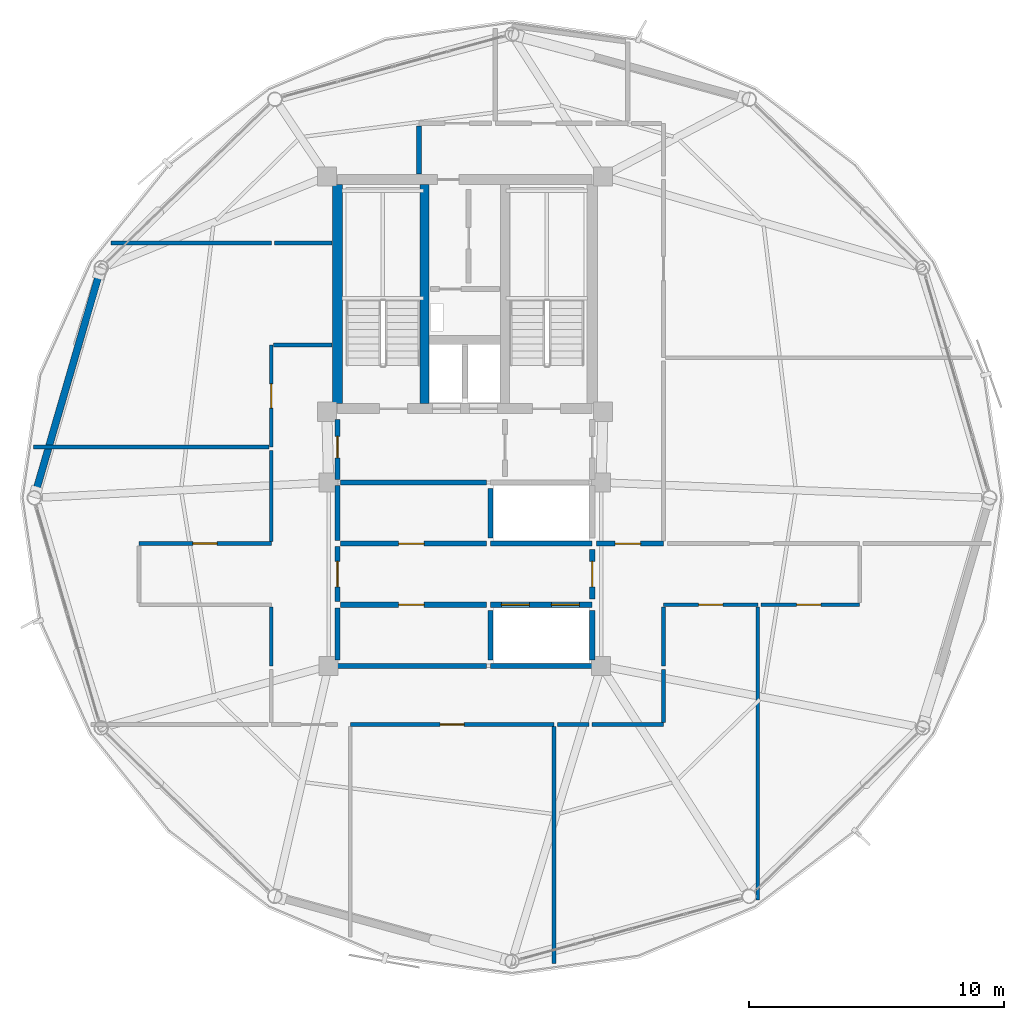
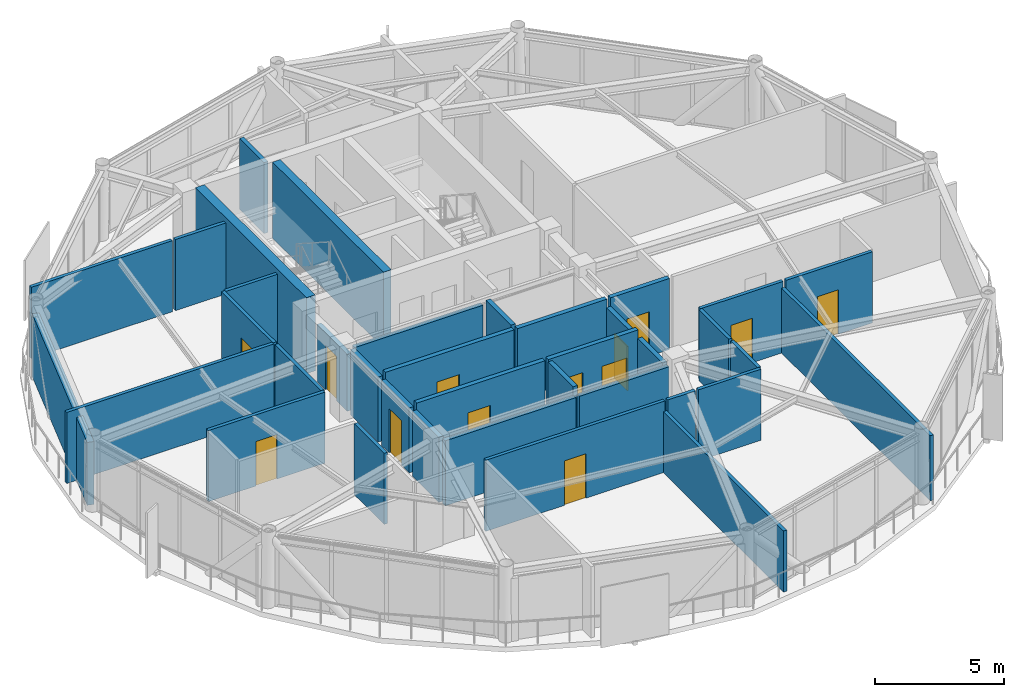
# One storey, part 22 of 27: 37 walls, 13 doors, 13 openings.
"""IFC4 building model written with IfcOpenShell, lengths in metres."""

from ifc_helpers import new_model, si_unit, direction, frame, frame_2d, origin, place, context, subcontext, project, spatial, rectangle, extrude, material, layer, layer_set, type_object, element, fill, save


model = new_model("IFC4")

# Units and contexts
model_context = context("Model", 3, precision=1e-05, world=origin(), true_north=direction((0.0, 1.0)))
body_context = subcontext(model_context, "Body", "Model", "MODEL_VIEW")
ifc_project = project(units=[si_unit("LENGTHUNIT", "METRE"), si_unit("AREAUNIT", "SQUARE_METRE"), si_unit("VOLUMEUNIT", "CUBIC_METRE"), si_unit("PLANEANGLEUNIT", "RADIAN"), si_unit("MASSUNIT", "GRAM", prefix="KILO")], contexts=[model_context])

# Site, building, storey
site_placement = place(None, origin())
site = spatial("IfcSite", under=ifc_project, at=site_placement, CompositionType="ELEMENT")
building_placement = place(site_placement, origin())
building = spatial("IfcBuilding", under=site, at=building_placement, Name="Varnakorn Sky Granary", CompositionType="ELEMENT")
storey_placement = place(building_placement, frame((0.0, 0.0, 232.800048828125)))
storey = spatial("IfcBuildingStorey", under=building, at=storey_placement, Name="L59", CompositionType="ELEMENT", Elevation=232.800048828125)

# Walls
ifc_material_1 = material(Name="Concrete C50/60", Category="concrete")
ifc_layer_1 = layer(ifc_material_1, 0.35009765625, Name="Concrete C50/60")
ifc_layer_set_1 = layer_set([ifc_layer_1], Name="Concrete C50/60")
wall_type_1 = type_object("IfcWallType", Name="WT-CW-INT-350", PredefinedType="SHEAR", material=ifc_layer_set_1)
wall_1_placement = place(storey_placement, frame((1.419921875, 3.7099609375, 0.0), z_axis=(0.0, 0.0, 1.0), x_axis=(0.0, 1.0, 0.0)))
element("IfcWall", 1, at=wall_1_placement, inside=storey, type_object=wall_type_1, Name="Stair ST-1 Core Wall L59", PredefinedType="SHEAR", context=body_context, shape_type="SweptSolid", body=[
    extrude(rectangle(XDim=8.580078125, YDim=0.35009765625, at=frame_2d((4.2900390625, 0.0))), origin(), (0.0, 0.0, 1.0), 3.592041015625),
])
ifc_layer_2 = layer(ifc_material_1, 0.39990234375, Name="Concrete C50/60")
ifc_layer_set_2 = layer_set([ifc_layer_2], Name="Concrete C50/60")
wall_type_2 = type_object("IfcWallType", Name="WT-CW-SHEAR-400", PredefinedType="SHEAR", material=ifc_layer_set_2)
wall_2_placement = place(storey_placement, frame((-2.0, 3.7099609375, 0.0), z_axis=(0.0, 0.0, 1.0), x_axis=(0.0, 1.0, 0.0)))
element("IfcWall", 2, at=wall_2_placement, inside=storey, type_object=wall_type_2, Name="Core West Shear Wall L59", PredefinedType="SHEAR", context=body_context, shape_type="SweptSolid", body=[
    extrude(rectangle(XDim=8.580078125, YDim=0.39990234375, at=frame_2d((4.2900390625, 0.0))), origin(), (0.0, 0.0, 1.0), 3.592041015625),
])
ifc_material_2 = material(Name="Precast concrete C40/50", Category="concrete")
ifc_layer_3 = layer(ifc_material_2, 0.280029296875, Name="Precast concrete C40/50")
ifc_layer_set_3 = layer_set([ifc_layer_3], Name="Precast concrete C40/50")
wall_type_3 = type_object("IfcWallType", Name="WT-EW-CRN-280", PredefinedType="SOLIDWALL", material=ifc_layer_set_3)
wall_3_placement = place(storey_placement, frame((-13.850341796875, 0.22509765625, 0.0), z_axis=(0.0, 0.0, 1.0), x_axis=(0.279531356442, 0.960136563602, 0.0)))
element("IfcWall", 3, at=wall_3_placement, inside=storey, type_object=wall_type_3, Name="Agritech Insulated Precast Facade Wall L59-P06", PredefinedType="SOLIDWALL", context=body_context, shape_type="SweptSolid", body=[
    extrude(rectangle(XDim=8.942626953125, YDim=0.280029296875, at=frame_2d((4.47119140625, 0.0))), origin(), (0.0, 0.0, 1.0), 2.969970703125),
])

# Wall, opening, door
ifc_material_3 = material(Name="Autoclaved Aerated Concrete Blockwork", Category="masonry")
ifc_layer_4 = layer(ifc_material_3, 0.199951171875, Name="Autoclaved Aerated Concrete Blockwork")
ifc_layer_set_4 = layer_set([ifc_layer_4], Name="Autoclaved Aerated Concrete Blockwork")
wall_type_4 = type_object("IfcWallType", Name="WT-FIRE-200", PredefinedType="MOVABLE", material=ifc_layer_set_4)
wall_4_placement = place(storey_placement, frame((-2.0, 0.719970703125, 0.0), z_axis=(0.0, 0.0, 1.0), x_axis=(0.0, 1.0, 0.0)))
wall_4 = element("IfcWall", 4, at=wall_4_placement, inside=storey, type_object=wall_type_4, Name="Interior Partition Wall L59-013", PredefinedType="MOVABLE", context=body_context, shape_type="SweptSolid", body=[
    extrude(rectangle(XDim=2.35009765625, YDim=0.199951171875, at=frame_2d((1.175048828125, 0.0))), origin(), (0.0, 0.0, 1.0), 2.69189453125),
])
opening_1_placement = place(wall_4_placement, frame((0.844970703125, 0.0, 0.0)))
opening_1 = element("IfcOpeningElement", 5, at=opening_1_placement, cuts=wall_4, Name="Opening FD-60N", PredefinedType="OPENING", context=body_context, shape_type="SweptSolid", body=[
    extrude(rectangle(XDim=0.85009765625, YDim=2.10009765625, at=frame_2d((0.425048828125, 1.050048828125))), frame((0.0, 0.10986328125, 0.0), z_axis=(0.0, -1.0, 0.0), x_axis=(1.0, 0.0, 0.0)), (0.0, 0.0, 1.0), 0.219970703125),
])
ifc_material_4 = material(Name="Acoustic Timber Fire Leaf", Category="wood")
door_type_1 = type_object("IfcDoorType", Name="DR-FD60-850", OperationType="NOTDEFINED", PredefinedType="DOOR", material=ifc_material_4)
door_1_placement = place(opening_1_placement, origin())
door_1 = element("IfcDoor", 6, at=door_1_placement, inside=storey, type_object=door_type_1, Name="Interior Door L59-013-1", OperationType="SINGLE_SWING_RIGHT", OverallHeight=2.10009765625, OverallWidth=0.85009765625, PredefinedType="DOOR", context=body_context, shape_type="SweptSolid", body=[
    extrude(rectangle(XDim=0.85009765625, YDim=2.10009765625, at=frame_2d((0.425048828125, 1.050048828125))), frame((0.0, 0.02490234375, 0.0), z_axis=(0.0, -1.0, 0.0), x_axis=(1.0, 0.0, 0.0)), (0.0, 0.0, 1.0), 0.050048828125),
])
fill(opening_1, door_1)

wall_5_placement = place(storey_placement, frame((-2.0, -4.080078125, 0.0), z_axis=(0.0, 0.0, 1.0), x_axis=(0.0, 1.0, 0.0)))
wall_5 = element("IfcWall", 7, at=wall_5_placement, inside=storey, type_object=wall_type_4, Name="Interior Partition Wall L59-015", PredefinedType="MOVABLE", context=body_context, shape_type="SweptSolid", body=[
    extrude(rectangle(XDim=2.16015625, YDim=0.199951171875, at=frame_2d((1.080078125, 0.0))), origin(), (0.0, 0.0, 1.0), 3.072021484375),
])
opening_2_placement = place(wall_5_placement, frame((0.580078125, 0.0, 0.0)))
opening_2 = element("IfcOpeningElement", 8, at=opening_2_placement, cuts=wall_5, Name="Opening FD-60", PredefinedType="OPENING", context=body_context, shape_type="SweptSolid", body=[
    extrude(rectangle(XDim=1.0, YDim=2.10009765625, at=frame_2d((0.5, 1.050048828125))), frame((0.0, 0.10986328125, 0.0), z_axis=(0.0, -1.0, 0.0), x_axis=(1.0, 0.0, 0.0)), (0.0, 0.0, 1.0), 0.219970703125),
])
door_type_2 = type_object("IfcDoorType", Name="DR-FD60-1000", OperationType="NOTDEFINED", PredefinedType="DOOR", material=ifc_material_4)
door_2_placement = place(opening_2_placement, origin())
door_2 = element("IfcDoor", 9, at=door_2_placement, inside=storey, type_object=door_type_2, Name="Interior Door L59-015-1", OperationType="SINGLE_SWING_RIGHT", OverallHeight=2.10009765625, OverallWidth=1.0, PredefinedType="DOOR", context=body_context, shape_type="SweptSolid", body=[
    extrude(rectangle(XDim=1.0, YDim=2.10009765625, at=frame_2d((0.5, 1.050048828125))), frame((0.0, 0.02490234375, 0.0), z_axis=(0.0, -1.0, 0.0), x_axis=(1.0, 0.0, 0.0)), (0.0, 0.0, 1.0), 0.050048828125),
])
fill(opening_2, door_2)

wall_6_placement = place(storey_placement, frame((8.0, -3.969970703125, 0.0), z_axis=(0.0, 0.0, 1.0), x_axis=(0.0, 1.0, 0.0)))
wall_6 = element("IfcWall", 10, at=wall_6_placement, inside=storey, type_object=wall_type_4, Name="Interior Partition Wall L59-016", PredefinedType="MOVABLE", context=body_context, shape_type="SweptSolid", body=[
    extrude(rectangle(XDim=1.93994140625, YDim=0.199951171875, at=frame_2d((0.969970703125, 0.0))), origin(), (0.0, 0.0, 1.0), 3.072021484375),
])
opening_3_placement = place(wall_6_placement, frame((0.469970703125, 0.0, 0.0)))
opening_3 = element("IfcOpeningElement", 11, at=opening_3_placement, cuts=wall_6, Name="Opening FD-60", PredefinedType="OPENING", context=body_context, shape_type="SweptSolid", body=[
    extrude(rectangle(XDim=1.0, YDim=2.10009765625, at=frame_2d((0.5, 1.050048828125))), frame((0.0, 0.10986328125, 0.0), z_axis=(0.0, -1.0, 0.0), x_axis=(1.0, 0.0, 0.0)), (0.0, 0.0, 1.0), 0.219970703125),
])
door_3_placement = place(opening_3_placement, origin())
door_3 = element("IfcDoor", 12, at=door_3_placement, inside=storey, type_object=door_type_2, Name="Interior Door L59-016-1", OperationType="SINGLE_SWING_LEFT", OverallHeight=2.10009765625, OverallWidth=1.0, PredefinedType="DOOR", context=body_context, shape_type="SweptSolid", body=[
    extrude(rectangle(XDim=1.0, YDim=2.10009765625, at=frame_2d((0.5, 1.050048828125))), frame((0.0, 0.02490234375, 0.0), z_axis=(0.0, -1.0, 0.0), x_axis=(1.0, 0.0, 0.0)), (0.0, 0.0, 1.0), 0.050048828125),
])
fill(opening_3, door_3)

wall_7_placement = place(storey_placement, frame((-1.889892578125, -1.800048828125, 0.0), z_axis=(0.0, 0.0, 1.0), x_axis=(1.0, 0.0, 0.0)))
wall_7 = element("IfcWall", 13, at=wall_7_placement, inside=storey, type_object=wall_type_4, Name="Interior Partition Wall L59-017", PredefinedType="MOVABLE", context=body_context, shape_type="SweptSolid", body=[
    extrude(rectangle(XDim=5.72998046875, YDim=0.199951171875, at=frame_2d((2.864990234375, 0.0))), origin(), (0.0, 0.0, 1.0), 3.35986328125),
])
opening_4_placement = place(wall_7_placement, frame((2.2900390625, 0.0, 0.0)))
opening_4 = element("IfcOpeningElement", 14, at=opening_4_placement, cuts=wall_7, Name="Opening FD-60", PredefinedType="OPENING", context=body_context, shape_type="SweptSolid", body=[
    extrude(rectangle(XDim=1.0, YDim=2.10009765625, at=frame_2d((0.5, 1.050048828125))), frame((0.0, 0.10986328125, 0.0), z_axis=(0.0, -1.0, 0.0), x_axis=(1.0, 0.0, 0.0)), (0.0, 0.0, 1.0), 0.219970703125),
])
door_4_placement = place(opening_4_placement, origin())
door_4 = element("IfcDoor", 15, at=door_4_placement, inside=storey, type_object=door_type_2, Name="Interior Door L59-017-1", OperationType="SINGLE_SWING_RIGHT", OverallHeight=2.10009765625, OverallWidth=1.0, PredefinedType="DOOR", context=body_context, shape_type="SweptSolid", body=[
    extrude(rectangle(XDim=1.0, YDim=2.10009765625, at=frame_2d((0.5, 1.050048828125))), frame((0.0, 0.02490234375, 0.0), z_axis=(0.0, -1.0, 0.0), x_axis=(1.0, 0.0, 0.0)), (0.0, 0.0, 1.0), 0.050048828125),
])
fill(opening_4, door_4)

wall_8_placement = place(storey_placement, frame((-1.889892578125, -4.199951171875, 0.0), z_axis=(0.0, 0.0, 1.0), x_axis=(1.0, 0.0, 0.0)))
wall_8 = element("IfcWall", 16, at=wall_8_placement, inside=storey, type_object=wall_type_4, Name="Interior Partition Wall L59-018", PredefinedType="MOVABLE", context=body_context, shape_type="SweptSolid", body=[
    extrude(rectangle(XDim=5.72998046875, YDim=0.199951171875, at=frame_2d((2.864990234375, 0.0))), origin(), (0.0, 0.0, 1.0), 3.35986328125),
])
opening_5_placement = place(wall_8_placement, frame((2.2900390625, 0.0, 0.0)))
opening_5 = element("IfcOpeningElement", 17, at=opening_5_placement, cuts=wall_8, Name="Opening FD-60", PredefinedType="OPENING", context=body_context, shape_type="SweptSolid", body=[
    extrude(rectangle(XDim=1.0, YDim=2.10009765625, at=frame_2d((0.5, 1.050048828125))), frame((0.0, 0.10986328125, 0.0), z_axis=(0.0, -1.0, 0.0), x_axis=(1.0, 0.0, 0.0)), (0.0, 0.0, 1.0), 0.219970703125),
])
door_5_placement = place(opening_5_placement, origin())
door_5 = element("IfcDoor", 18, at=door_5_placement, inside=storey, type_object=door_type_2, Name="Interior Door L59-018-1", OperationType="SINGLE_SWING_LEFT", OverallHeight=2.10009765625, OverallWidth=1.0, PredefinedType="DOOR", context=body_context, shape_type="SweptSolid", body=[
    extrude(rectangle(XDim=1.0, YDim=2.10009765625, at=frame_2d((0.5, 1.050048828125))), frame((0.0, 0.02490234375, 0.0), z_axis=(0.0, -1.0, 0.0), x_axis=(1.0, 0.0, 0.0)), (0.0, 0.0, 1.0), 0.050048828125),
])
fill(opening_5, door_5)

wall_9_placement = place(storey_placement, frame((8.159912109375, -1.800048828125, 0.0), z_axis=(0.0, 0.0, 1.0), x_axis=(1.0, 0.0, 0.0)))
wall_9 = element("IfcWall", 19, at=wall_9_placement, inside=storey, type_object=wall_type_4, Name="Interior Partition Wall L59-019", PredefinedType="MOVABLE", context=body_context, shape_type="SweptSolid", body=[
    extrude(rectangle(XDim=2.64013671875, YDim=0.199951171875, at=frame_2d((1.320068359375, 0.0))), origin(), (0.0, 0.0, 1.0), 3.35986328125),
])
opening_6_placement = place(wall_9_placement, frame((0.739990234375, 0.0, 0.0)))
opening_6 = element("IfcOpeningElement", 20, at=opening_6_placement, cuts=wall_9, Name="Opening FD-60", PredefinedType="OPENING", context=body_context, shape_type="SweptSolid", body=[
    extrude(rectangle(XDim=1.0, YDim=2.10009765625, at=frame_2d((0.5, 1.050048828125))), frame((0.0, 0.10986328125, 0.0), z_axis=(0.0, -1.0, 0.0), x_axis=(1.0, 0.0, 0.0)), (0.0, 0.0, 1.0), 0.219970703125),
])
door_6_placement = place(opening_6_placement, origin())
door_6 = element("IfcDoor", 21, at=door_6_placement, inside=storey, type_object=door_type_2, Name="Interior Door L59-019-1", OperationType="SINGLE_SWING_RIGHT", OverallHeight=2.10009765625, OverallWidth=1.0, PredefinedType="DOOR", context=body_context, shape_type="SweptSolid", body=[
    extrude(rectangle(XDim=1.0, YDim=2.10009765625, at=frame_2d((0.5, 1.050048828125))), frame((0.0, 0.02490234375, 0.0), z_axis=(0.0, -1.0, 0.0), x_axis=(1.0, 0.0, 0.0)), (0.0, 0.0, 1.0), 0.050048828125),
])
fill(opening_6, door_6)

# Walls
wall_10_placement = place(storey_placement, frame((-1.8798828125, 0.60009765625, 0.0), z_axis=(0.0, 0.0, 1.0), x_axis=(1.0, 0.0, 0.0)))
element("IfcWall", 22, at=wall_10_placement, inside=storey, type_object=wall_type_4, Name="Interior Partition Wall L59-030", PredefinedType="MOVABLE", context=body_context, shape_type="SweptSolid", body=[
    extrude(rectangle(XDim=5.719970703125, YDim=0.199951171875, at=frame_2d((2.85986328125, 0.0))), origin(), (0.0, 0.0, 1.0), 3.072021484375),
])
wall_11_placement = place(storey_placement, frame((-2.0, -1.679931640625, 0.0), z_axis=(0.0, 0.0, 1.0), x_axis=(0.0, 1.0, 0.0)))
element("IfcWall", 23, at=wall_11_placement, inside=storey, type_object=wall_type_4, Name="Interior Partition Wall L59-031", PredefinedType="MOVABLE", context=body_context, shape_type="SweptSolid", body=[
    extrude(rectangle(XDim=2.159912109375, YDim=0.199951171875, at=frame_2d((1.080078125, 0.0))), origin(), (0.0, 0.0, 1.0), 3.072021484375),
])
wall_12_placement = place(storey_placement, frame((-2.0, -6.60009765625, 0.0), z_axis=(0.0, 0.0, 1.0), x_axis=(1.0, 0.0, 0.0)))
element("IfcWall", 24, at=wall_12_placement, inside=storey, type_object=wall_type_4, Name="Interior Partition Wall L59-032", PredefinedType="MOVABLE", context=body_context, shape_type="SweptSolid", body=[
    extrude(rectangle(XDim=5.840087890625, YDim=0.199951171875, at=frame_2d((2.919921875, 0.0))), origin(), (0.0, 0.0, 1.0), 3.072021484375),
])
wall_13_placement = place(storey_placement, frame((-2.0, -6.3701171875, 0.0), z_axis=(0.0, 0.0, 1.0), x_axis=(0.0, 1.0, 0.0)))
element("IfcWall", 25, at=wall_13_placement, inside=storey, type_object=wall_type_4, Name="Interior Partition Wall L59-033", PredefinedType="MOVABLE", context=body_context, shape_type="SweptSolid", body=[
    extrude(rectangle(XDim=2.050048828125, YDim=0.199951171875, at=frame_2d((1.02490234375, 0.0))), origin(), (0.0, 0.0, 1.0), 3.072021484375),
])

# Wall, opening, door
ifc_material_5 = material(Name="Gypsum Plasterboard on Steel Stud", Category="steel")
ifc_layer_5 = layer(ifc_material_5, 0.14990234375, Name="Gypsum Plasterboard on Steel Stud")
ifc_layer_set_5 = layer_set([ifc_layer_5], Name="Gypsum Plasterboard on Steel Stud")
wall_type_5 = type_object("IfcWallType", Name="WT-PART-150", PredefinedType="PARTITIONING", material=ifc_layer_set_5)
wall_14_placement = place(storey_placement, frame((-1.5, -8.89990234375, 0.0), z_axis=(0.0, 0.0, 1.0), x_axis=(1.0, 0.0, 0.0)))
wall_14 = element("IfcWall", 26, at=wall_14_placement, inside=storey, type_object=wall_type_5, Name="Interior Partition Wall L59-022", PredefinedType="PARTITIONING", context=body_context, shape_type="SweptSolid", body=[
    extrude(rectangle(XDim=8.0, YDim=0.14990234375, at=frame_2d((4.0, 0.0))), origin(), (0.0, 0.0, 1.0), 3.35986328125),
])
opening_7_placement = place(wall_14_placement, frame((3.52490234375, 0.0, 0.0)))
opening_7 = element("IfcOpeningElement", 27, at=opening_7_placement, cuts=wall_14, Name="Opening ID-95", PredefinedType="OPENING", context=body_context, shape_type="SweptSolid", body=[
    extrude(rectangle(XDim=0.949951171875, YDim=2.10009765625, at=frame_2d((0.47509765625, 1.050048828125))), frame((0.0, 0.0849609375, 0.0), z_axis=(0.0, -1.0, 0.0), x_axis=(1.0, 0.0, 0.0)), (0.0, 0.0, 1.0), 0.169921875),
])
ifc_material_6 = material(Name="Solid-Core Teak Veneer Leaf", Category="timber")
door_type_3 = type_object("IfcDoorType", Name="DR-INT-950", OperationType="NOTDEFINED", PredefinedType="DOOR", material=ifc_material_6)
door_7_placement = place(opening_7_placement, origin())
door_7 = element("IfcDoor", 28, at=door_7_placement, inside=storey, type_object=door_type_3, Name="Interior Door L59-022-1", OperationType="SINGLE_SWING_LEFT", OverallHeight=2.10009765625, OverallWidth=0.949951171875, PredefinedType="DOOR", context=body_context, shape_type="SweptSolid", body=[
    extrude(rectangle(XDim=0.949951171875, YDim=2.10009765625, at=frame_2d((0.47509765625, 1.050048828125))), frame((0.0, 0.02490234375, 0.0), z_axis=(0.0, -1.0, 0.0), x_axis=(1.0, 0.0, 0.0)), (0.0, 0.0, 1.0), 0.050048828125),
])
fill(opening_7, door_7)

wall_15_placement = place(storey_placement, frame((10.800048828125, -4.199951171875, 0.0), z_axis=(0.0, 0.0, 1.0), x_axis=(1.0, 0.0, 0.0)))
wall_15 = element("IfcWall", 29, at=wall_15_placement, inside=storey, type_object=wall_type_5, Name="Interior Partition Wall L59-023", PredefinedType="PARTITIONING", context=body_context, shape_type="SweptSolid", body=[
    extrude(rectangle(XDim=3.699951171875, YDim=0.14990234375, at=frame_2d((1.85009765625, 0.0))), origin(), (0.0, 0.0, 1.0), 3.35986328125),
])
opening_8_placement = place(wall_15_placement, frame((1.375, 0.0, 0.0)))
opening_8 = element("IfcOpeningElement", 30, at=opening_8_placement, cuts=wall_15, Name="Opening ID-95", PredefinedType="OPENING", context=body_context, shape_type="SweptSolid", body=[
    extrude(rectangle(XDim=0.949951171875, YDim=2.10009765625, at=frame_2d((0.47509765625, 1.050048828125))), frame((0.0, 0.0849609375, 0.0), z_axis=(0.0, -1.0, 0.0), x_axis=(1.0, 0.0, 0.0)), (0.0, 0.0, 1.0), 0.169921875),
])
door_8_placement = place(opening_8_placement, origin())
door_8 = element("IfcDoor", 31, at=door_8_placement, inside=storey, type_object=door_type_3, Name="Interior Door L59-023-1", OperationType="SINGLE_SWING_RIGHT", OverallHeight=2.10009765625, OverallWidth=0.949951171875, PredefinedType="DOOR", context=body_context, shape_type="SweptSolid", body=[
    extrude(rectangle(XDim=0.949951171875, YDim=2.10009765625, at=frame_2d((0.47509765625, 1.050048828125))), frame((0.0, 0.02490234375, 0.0), z_axis=(0.0, -1.0, 0.0), x_axis=(1.0, 0.0, 0.0)), (0.0, 0.0, 1.0), 0.050048828125),
])
fill(opening_8, door_8)

wall_16_placement = place(storey_placement, frame((14.635009765625, -4.199951171875, 0.0), z_axis=(0.0, 0.0, 1.0), x_axis=(1.0, 0.0, 0.0)))
wall_16 = element("IfcWall", 32, at=wall_16_placement, inside=storey, type_object=wall_type_5, Name="Interior Partition Wall L59-024", PredefinedType="PARTITIONING", context=body_context, shape_type="SweptSolid", body=[
    extrude(rectangle(XDim=3.864990234375, YDim=0.14990234375, at=frame_2d((1.9326171875, 0.0))), origin(), (0.0, 0.0, 1.0), 3.35986328125),
])
opening_9_placement = place(wall_16_placement, frame((1.389892578125, 0.0, 0.0)))
opening_9 = element("IfcOpeningElement", 33, at=opening_9_placement, cuts=wall_16, Name="Opening ID-95", PredefinedType="OPENING", context=body_context, shape_type="SweptSolid", body=[
    extrude(rectangle(XDim=0.949951171875, YDim=2.10009765625, at=frame_2d((0.47509765625, 1.050048828125))), frame((0.0, 0.0849609375, 0.0), z_axis=(0.0, -1.0, 0.0), x_axis=(1.0, 0.0, 0.0)), (0.0, 0.0, 1.0), 0.169921875),
])
door_9_placement = place(opening_9_placement, origin())
door_9 = element("IfcDoor", 34, at=door_9_placement, inside=storey, type_object=door_type_3, Name="Interior Door L59-024-1", OperationType="SINGLE_SWING_LEFT", OverallHeight=2.10009765625, OverallWidth=0.949951171875, PredefinedType="DOOR", context=body_context, shape_type="SweptSolid", body=[
    extrude(rectangle(XDim=0.949951171875, YDim=2.10009765625, at=frame_2d((0.47509765625, 1.050048828125))), frame((0.0, 0.02490234375, 0.0), z_axis=(0.0, -1.0, 0.0), x_axis=(1.0, 0.0, 0.0)), (0.0, 0.0, 1.0), 0.050048828125),
])
fill(opening_9, door_9)

wall_17_placement = place(storey_placement, frame((-4.60009765625, -1.800048828125, 0.0), z_axis=(0.0, 0.0, 1.0), x_axis=(-1.0, 0.0, 0.0)))
wall_17 = element("IfcWall", 35, at=wall_17_placement, inside=storey, type_object=wall_type_5, Name="Interior Partition Wall L59-025", PredefinedType="PARTITIONING", context=body_context, shape_type="SweptSolid", body=[
    extrude(rectangle(XDim=5.199951171875, YDim=0.14990234375, at=frame_2d((2.60009765625, 0.0))), origin(), (0.0, 0.0, 1.0), 3.35986328125),
])
opening_10_placement = place(wall_17_placement, frame((2.125, 0.0, 0.0)))
opening_10 = element("IfcOpeningElement", 36, at=opening_10_placement, cuts=wall_17, Name="Opening ID-95", PredefinedType="OPENING", context=body_context, shape_type="SweptSolid", body=[
    extrude(rectangle(XDim=0.949951171875, YDim=2.10009765625, at=frame_2d((0.47509765625, 1.050048828125))), frame((0.0, 0.0849609375, 0.0), z_axis=(0.0, -1.0, 0.0), x_axis=(1.0, 0.0, 0.0)), (0.0, 0.0, 1.0), 0.169921875),
])
door_10_placement = place(opening_10_placement, origin())
door_10 = element("IfcDoor", 37, at=door_10_placement, inside=storey, type_object=door_type_3, Name="Interior Door L59-025-1", OperationType="SINGLE_SWING_RIGHT", OverallHeight=2.10009765625, OverallWidth=0.949951171875, PredefinedType="DOOR", context=body_context, shape_type="SweptSolid", body=[
    extrude(rectangle(XDim=0.949951171875, YDim=2.10009765625, at=frame_2d((0.47509765625, 1.050048828125))), frame((0.0, 0.02490234375, 0.0), z_axis=(0.0, -1.0, 0.0), x_axis=(1.0, 0.0, 0.0)), (0.0, 0.0, 1.0), 0.050048828125),
])
fill(opening_10, door_10)

wall_18_placement = place(storey_placement, frame((-4.60009765625, 6.0, 0.0), z_axis=(0.0, 0.0, 1.0), x_axis=(0.0, -1.0, 0.0)))
wall_18 = element("IfcWall", 38, at=wall_18_placement, inside=storey, type_object=wall_type_5, Name="Interior Partition Wall L59-026", PredefinedType="PARTITIONING", context=body_context, shape_type="SweptSolid", body=[
    extrude(rectangle(XDim=4.0, YDim=0.14990234375, at=frame_2d((2.0, 0.0))), origin(), (0.0, 0.0, 1.0), 3.35986328125),
])
opening_11_placement = place(wall_18_placement, frame((1.52490234375, 0.0, 0.0)))
opening_11 = element("IfcOpeningElement", 39, at=opening_11_placement, cuts=wall_18, Name="Opening ID-95", PredefinedType="OPENING", context=body_context, shape_type="SweptSolid", body=[
    extrude(rectangle(XDim=0.949951171875, YDim=2.10009765625, at=frame_2d((0.47509765625, 1.050048828125))), frame((0.0, 0.0849609375, 0.0), z_axis=(0.0, -1.0, 0.0), x_axis=(1.0, 0.0, 0.0)), (0.0, 0.0, 1.0), 0.169921875),
])
door_11_placement = place(opening_11_placement, origin())
door_11 = element("IfcDoor", 40, at=door_11_placement, inside=storey, type_object=door_type_3, Name="Interior Door L59-026-1", OperationType="SINGLE_SWING_LEFT", OverallHeight=2.10009765625, OverallWidth=0.949951171875, PredefinedType="DOOR", context=body_context, shape_type="SweptSolid", body=[
    extrude(rectangle(XDim=0.949951171875, YDim=2.10009765625, at=frame_2d((0.47509765625, 1.050048828125))), frame((0.0, 0.02490234375, 0.0), z_axis=(0.0, -1.0, 0.0), x_axis=(1.0, 0.0, 0.0)), (0.0, 0.0, 1.0), 0.050048828125),
])
fill(opening_11, door_11)

# Walls
wall_19_placement = place(storey_placement, frame((6.5, -8.985107421875, 0.0), z_axis=(0.0, 0.0, 1.0), x_axis=(0.0, -1.0, 0.0)))
element("IfcWall", 41, at=wall_19_placement, inside=storey, type_object=wall_type_5, Name="Interior Partition Wall L59-037", PredefinedType="PARTITIONING", context=body_context, shape_type="SweptSolid", body=[
    extrude(rectangle(XDim=9.306884765625, YDim=0.14990234375, at=frame_2d((4.6533203125, 0.0))), origin(), (0.0, 0.0, 1.0), 2.891845703125),
])
wall_20_placement = place(storey_placement, frame((8.0, -8.89990234375, 0.0), z_axis=(0.0, 0.0, 1.0), x_axis=(1.0, 0.0, 0.0)))
element("IfcWall", 42, at=wall_20_placement, inside=storey, type_object=wall_type_5, Name="Interior Partition Wall L59-038", PredefinedType="PARTITIONING", context=body_context, shape_type="SweptSolid", body=[
    extrude(rectangle(XDim=2.800048828125, YDim=0.14990234375, at=frame_2d((1.39990234375, 0.0))), origin(), (0.0, 0.0, 1.0), 3.35986328125),
])
wall_21_placement = place(storey_placement, frame((10.800048828125, -6.60009765625, 0.0), z_axis=(0.0, 0.0, 1.0), x_axis=(0.0, 1.0, 0.0)))
element("IfcWall", 43, at=wall_21_placement, inside=storey, type_object=wall_type_5, Name="Interior Partition Wall L59-039", PredefinedType="PARTITIONING", context=body_context, shape_type="SweptSolid", body=[
    extrude(rectangle(XDim=2.315185546875, YDim=0.14990234375, at=frame_2d((1.15771484375, 0.0))), origin(), (0.0, 0.0, 1.0), 3.35986328125),
])
wall_22_placement = place(storey_placement, frame((10.800048828125, -8.81494140625, 0.0), z_axis=(0.0, 0.0, 1.0), x_axis=(0.0, 1.0, 0.0)))
element("IfcWall", 44, at=wall_22_placement, inside=storey, type_object=wall_type_5, Name="Interior Partition Wall L59-040", PredefinedType="PARTITIONING", context=body_context, shape_type="SweptSolid", body=[
    extrude(rectangle(XDim=2.079833984375, YDim=0.14990234375, at=frame_2d((1.0400390625, 0.0))), origin(), (0.0, 0.0, 1.0), 3.35986328125),
])
wall_23_placement = place(storey_placement, frame((6.635009765625, -8.89990234375, 0.0), z_axis=(0.0, 0.0, 1.0), x_axis=(1.0, 0.0, 0.0)))
element("IfcWall", 45, at=wall_23_placement, inside=storey, type_object=wall_type_5, Name="Interior Partition Wall L59-041", PredefinedType="PARTITIONING", context=body_context, shape_type="SweptSolid", body=[
    extrude(rectangle(XDim=1.22998046875, YDim=0.14990234375, at=frame_2d((0.614990234375, 0.0))), origin(), (0.0, 0.0, 1.0), 3.35986328125),
])
wall_24_placement = place(storey_placement, frame((14.5, -4.284912109375, 0.0), z_axis=(0.0, 0.0, 1.0), x_axis=(0.0, -1.0, 0.0)))
element("IfcWall", 46, at=wall_24_placement, inside=storey, type_object=wall_type_5, Name="Interior Partition Wall L59-042", PredefinedType="PARTITIONING", context=body_context, shape_type="SweptSolid", body=[
    extrude(rectangle(XDim=11.4990234375, YDim=0.14990234375, at=frame_2d((5.74951171875, 0.0))), origin(), (0.0, 0.0, 1.0), 3.072021484375),
])
wall_25_placement = place(storey_placement, frame((-4.60009765625, 1.864990234375, 0.0), z_axis=(0.0, 0.0, 1.0), x_axis=(0.0, -1.0, 0.0)))
element("IfcWall", 47, at=wall_25_placement, inside=storey, type_object=wall_type_5, Name="Interior Partition Wall L59-046", PredefinedType="PARTITIONING", context=body_context, shape_type="SweptSolid", body=[
    extrude(rectangle(XDim=3.580078125, YDim=0.14990234375, at=frame_2d((1.7900390625, 0.0))), origin(), (0.0, 0.0, 1.0), 3.35986328125),
])
wall_26_placement = place(storey_placement, frame((-4.60009765625, -4.284912109375, 0.0), z_axis=(0.0, 0.0, 1.0), x_axis=(0.0, -1.0, 0.0)))
element("IfcWall", 48, at=wall_26_placement, inside=storey, type_object=wall_type_5, Name="Interior Partition Wall L59-048", PredefinedType="PARTITIONING", context=body_context, shape_type="SweptSolid", body=[
    extrude(rectangle(XDim=2.315185546875, YDim=0.14990234375, at=frame_2d((1.15771484375, 0.0))), origin(), (0.0, 0.0, 1.0), 3.35986328125),
])
wall_27_placement = place(storey_placement, frame((-13.93603515625, 2.0, 0.0), z_axis=(0.0, 0.0, 1.0), x_axis=(1.0, 0.0, 0.0)))
element("IfcWall", 49, at=wall_27_placement, inside=storey, type_object=wall_type_5, Name="Interior Partition Wall L59-050", PredefinedType="PARTITIONING", context=body_context, shape_type="SweptSolid", body=[
    extrude(rectangle(XDim=9.2509765625, YDim=0.14990234375, at=frame_2d((4.62548828125, 0.0))), origin(), (0.0, 0.0, 1.0), 3.35986328125),
])
wall_28_placement = place(storey_placement, frame((-2.2099609375, 6.0, 0.0), z_axis=(0.0, 0.0, 1.0), x_axis=(-1.0, 0.0, 0.0)))
element("IfcWall", 50, at=wall_28_placement, inside=storey, type_object=wall_type_5, Name="Interior Partition Wall L59-051", PredefinedType="PARTITIONING", context=body_context, shape_type="SweptSolid", body=[
    extrude(rectangle(XDim=2.304931640625, YDim=0.14990234375, at=frame_2d((1.15234375, 0.0))), origin(), (0.0, 0.0, 1.0), 3.35986328125),
])
wall_29_placement = place(storey_placement, frame((-10.902099609375, 10.0, 0.0), z_axis=(0.0, 0.0, 1.0), x_axis=(1.0, 0.0, 0.0)))
element("IfcWall", 51, at=wall_29_placement, inside=storey, type_object=wall_type_5, Name="Interior Partition Wall L59-052", PredefinedType="PARTITIONING", context=body_context, shape_type="SweptSolid", body=[
    extrude(rectangle(XDim=6.302001953125, YDim=0.14990234375, at=frame_2d((3.15087890625, 0.0))), origin(), (0.0, 0.0, 1.0), 3.35986328125),
])
wall_30_placement = place(storey_placement, frame((-4.465087890625, 10.0, 0.0), z_axis=(0.0, 0.0, 1.0), x_axis=(1.0, 0.0, 0.0)))
element("IfcWall", 52, at=wall_30_placement, inside=storey, type_object=wall_type_5, Name="Interior Partition Wall L59-053", PredefinedType="PARTITIONING", context=body_context, shape_type="SweptSolid", body=[
    extrude(rectangle(XDim=2.255126953125, YDim=0.14990234375, at=frame_2d((1.12744140625, 0.0))), origin(), (0.0, 0.0, 1.0), 3.35986328125),
])
ifc_material_7 = material(Name="Moisture-Resistant Gypsum on Stud", Category="gypsum")
ifc_layer_6 = layer(ifc_material_7, 0.179931640625, Name="Moisture-Resistant Gypsum on Stud")
ifc_layer_set_6 = layer_set([ifc_layer_6], Name="Moisture-Resistant Gypsum on Stud")
wall_type_6 = type_object("IfcWallType", Name="WT-PLUMB-180", PredefinedType="PLUMBINGWALL", material=ifc_layer_set_6)
wall_31_placement = place(storey_placement, frame((1.199951171875, 14.60009765625, 0.0), z_axis=(0.0, 0.0, 1.0), x_axis=(0.0, -1.0, 0.0)))
element("IfcWall", 53, at=wall_31_placement, inside=storey, type_object=wall_type_6, Name="Interior Partition Wall L59-054", PredefinedType="PLUMBINGWALL", context=body_context, shape_type="SweptSolid", body=[
    extrude(rectangle(XDim=1.89013671875, YDim=0.179931640625, at=frame_2d((0.945068359375, 0.0))), origin(), (0.0, 0.0, 1.0), 3.35986328125),
])
ifc_layer_7 = layer(ifc_material_3, 0.199951171875, Name="Autoclaved Aerated Concrete Blockwork")
ifc_layer_set_7 = layer_set([ifc_layer_7], Name="Autoclaved Aerated Concrete Blockwork")
wall_type_7 = type_object("IfcWallType", Name="WT-SHAFT-200", PredefinedType="SOLIDWALL", material=ifc_layer_set_7)
wall_32_placement = place(storey_placement, frame((4.0, -1.800048828125, 0.0), z_axis=(0.0, 0.0, 1.0), x_axis=(1.0, 0.0, 0.0)))
element("IfcWall", 54, at=wall_32_placement, inside=storey, type_object=wall_type_7, Name="Interior Partition Wall L59-003", PredefinedType="SOLIDWALL", context=body_context, shape_type="SweptSolid", body=[
    extrude(rectangle(XDim=4.0, YDim=0.199951171875, at=frame_2d((2.0, 0.0))), origin(), (0.0, 0.0, 1.0), 3.35986328125),
])
wall_33_placement = place(storey_placement, frame((4.0, -1.570068359375, 0.0), z_axis=(0.0, 0.0, 1.0), x_axis=(0.0, 1.0, 0.0)))
element("IfcWall", 55, at=wall_33_placement, inside=storey, type_object=wall_type_7, Name="Interior Partition Wall L59-004", PredefinedType="SOLIDWALL", context=body_context, shape_type="SweptSolid", body=[
    extrude(rectangle(XDim=1.940185546875, YDim=0.199951171875, at=frame_2d((0.97021484375, 0.0))), origin(), (0.0, 0.0, 1.0), 3.35986328125),
])

# Wall, openings, doors
wall_34_placement = place(storey_placement, frame((4.0, -4.199951171875, 0.0), z_axis=(0.0, 0.0, 1.0), x_axis=(1.0, 0.0, 0.0)))
wall_34 = element("IfcWall", 56, at=wall_34_placement, inside=storey, type_object=wall_type_7, Name="Interior Partition Wall L59-006", PredefinedType="SOLIDWALL", context=body_context, shape_type="SweptSolid", body=[
    extrude(rectangle(XDim=4.0, YDim=0.199951171875, at=frame_2d((2.0, 0.0))), origin(), (0.0, 0.0, 1.0), 3.35986328125),
])
opening_12_placement = place(wall_34_placement, frame((0.429931640625, 0.0, 0.0)))
opening_12 = element("IfcOpeningElement", 57, at=opening_12_placement, cuts=wall_34, Name="Opening LD-01", PredefinedType="OPENING", context=body_context, shape_type="SweptSolid", body=[
    extrude(rectangle(XDim=1.10009765625, YDim=2.199951171875, at=frame_2d((0.550048828125, 1.10009765625))), frame((0.0, 0.10986328125, 0.0), z_axis=(0.0, -1.0, 0.0), x_axis=(1.0, 0.0, 0.0)), (0.0, 0.0, 1.0), 0.219970703125),
])
opening_13_placement = place(wall_34_placement, frame((2.39990234375, 0.0, 0.0)))
opening_13 = element("IfcOpeningElement", 58, at=opening_13_placement, cuts=wall_34, Name="Opening LD-01", PredefinedType="OPENING", context=body_context, shape_type="SweptSolid", body=[
    extrude(rectangle(XDim=1.10009765625, YDim=2.199951171875, at=frame_2d((0.550048828125, 1.10009765625))), frame((0.0, 0.10986328125, 0.0), z_axis=(0.0, -1.0, 0.0), x_axis=(1.0, 0.0, 0.0)), (0.0, 0.0, 1.0), 0.219970703125),
])
ifc_material_8 = material(Name="Brushed Bronze Stainless Steel", Category="steel")
door_type_4 = type_object("IfcDoorType", Name="DR-LD-1100", OperationType="DOUBLE_DOOR_SLIDING", PredefinedType="DOOR", material=ifc_material_8)
door_12_placement = place(opening_12_placement, origin())
door_12 = element("IfcDoor", 59, at=door_12_placement, inside=storey, type_object=door_type_4, Name="Passenger Lift PL-H1 Sliding Landing Door L59", OperationType="DOUBLE_DOOR_SLIDING", OverallHeight=2.199951171875, OverallWidth=1.10009765625, PredefinedType="DOOR", context=body_context, shape_type="SweptSolid", body=[
    extrude(rectangle(XDim=1.10009765625, YDim=2.199951171875, at=frame_2d((0.550048828125, 1.10009765625))), frame((0.0, 0.02490234375, 0.0), z_axis=(0.0, -1.0, 0.0), x_axis=(1.0, 0.0, 0.0)), (0.0, 0.0, 1.0), 0.050048828125),
])
fill(opening_12, door_12)
door_13_placement = place(opening_13_placement, origin())
door_13 = element("IfcDoor", 60, at=door_13_placement, inside=storey, type_object=door_type_4, Name="Passenger Lift PL-H2 Sliding Landing Door L59", OperationType="DOUBLE_DOOR_SLIDING", OverallHeight=2.199951171875, OverallWidth=1.10009765625, PredefinedType="DOOR", context=body_context, shape_type="SweptSolid", body=[
    extrude(rectangle(XDim=1.10009765625, YDim=2.199951171875, at=frame_2d((0.550048828125, 1.10009765625))), frame((0.0, 0.02490234375, 0.0), z_axis=(0.0, -1.0, 0.0), x_axis=(1.0, 0.0, 0.0)), (0.0, 0.0, 1.0), 0.050048828125),
])
fill(opening_13, door_13)

# Walls
wall_35_placement = place(storey_placement, frame((4.0, -6.60009765625, 0.0), z_axis=(0.0, 0.0, 1.0), x_axis=(1.0, 0.0, 0.0)))
element("IfcWall", 61, at=wall_35_placement, inside=storey, type_object=wall_type_7, Name="Interior Partition Wall L59-007", PredefinedType="SOLIDWALL", context=body_context, shape_type="SweptSolid", body=[
    extrude(rectangle(XDim=4.0, YDim=0.199951171875, at=frame_2d((2.0, 0.0))), origin(), (0.0, 0.0, 1.0), 3.072021484375),
])
wall_36_placement = place(storey_placement, frame((4.0, -6.3701171875, 0.0), z_axis=(0.0, 0.0, 1.0), x_axis=(0.0, 1.0, 0.0)))
element("IfcWall", 62, at=wall_36_placement, inside=storey, type_object=wall_type_7, Name="Interior Partition Wall L59-008", PredefinedType="SOLIDWALL", context=body_context, shape_type="SweptSolid", body=[
    extrude(rectangle(XDim=1.940185546875, YDim=0.199951171875, at=frame_2d((0.97021484375, 0.0))), origin(), (0.0, 0.0, 1.0), 3.35986328125),
])
wall_37_placement = place(storey_placement, frame((8.0, -6.3701171875, 0.0), z_axis=(0.0, 0.0, 1.0), x_axis=(0.0, 1.0, 0.0)))
element("IfcWall", 63, at=wall_37_placement, inside=storey, type_object=wall_type_7, Name="Interior Partition Wall L59-009", PredefinedType="SOLIDWALL", context=body_context, shape_type="SweptSolid", body=[
    extrude(rectangle(XDim=1.940185546875, YDim=0.199951171875, at=frame_2d((0.97021484375, 0.0))), origin(), (0.0, 0.0, 1.0), 3.072021484375),
])

save(model, "model.ifc")
